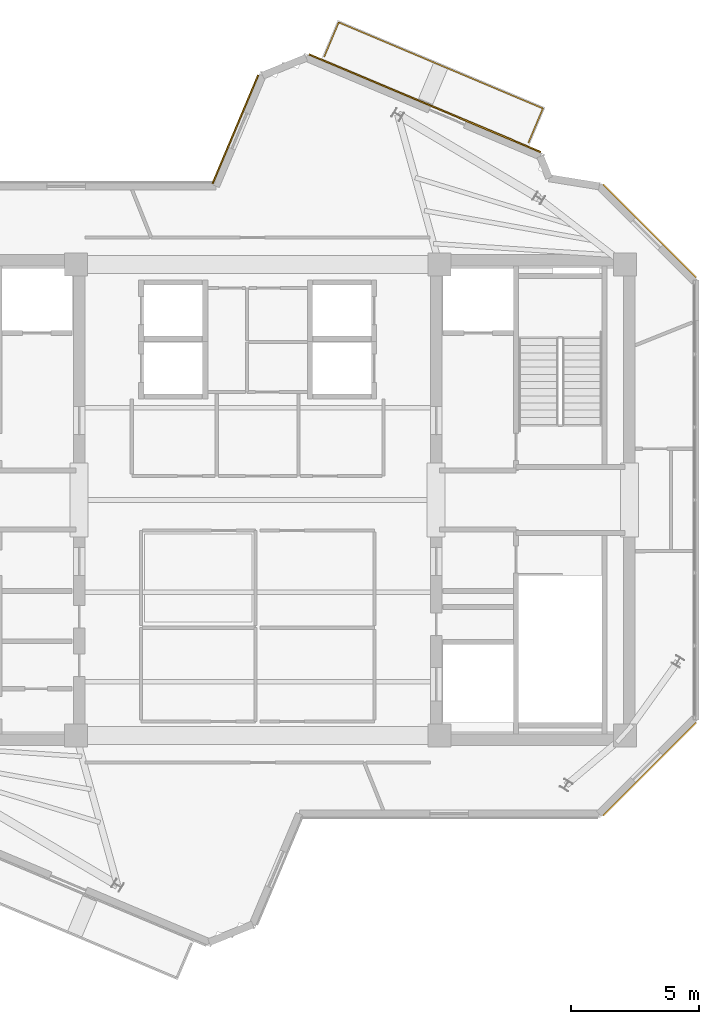
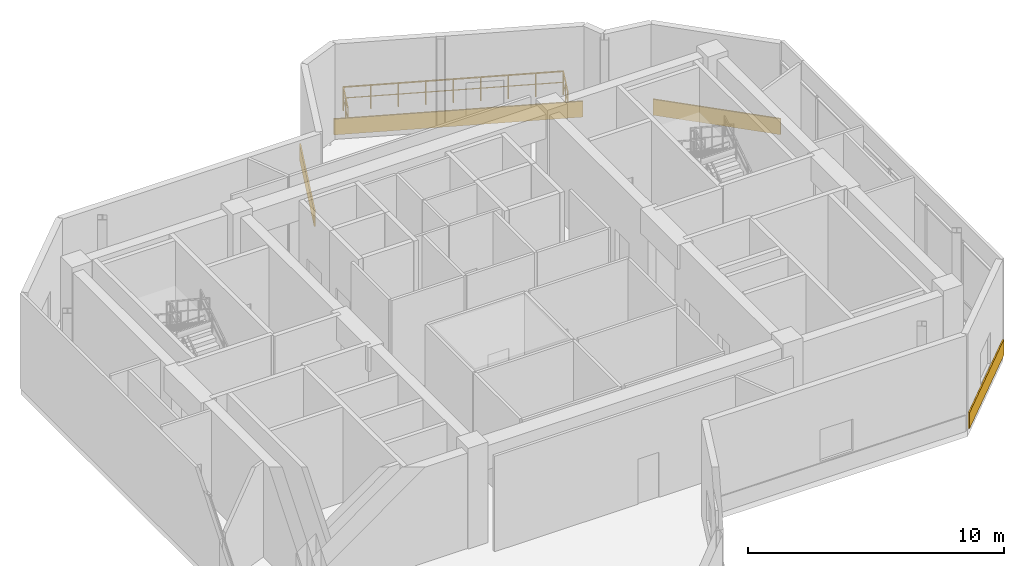
# One storey, part 11 of 11: 4 coverings, 3 railings.
"""IFC4 building model written with IfcOpenShell, lengths in metres."""

from ifc_helpers import new_model, si_unit, direction, frame, origin, origin_2d, place, context, subcontext, project, spatial, rectangle, extrude, source, transform, mapped, material, layer, layer_set, type_object, element, save


model = new_model("IFC4")

# Units and contexts
model_context = context("Model", 3, precision=1e-05, world=origin(), true_north=direction((0.0, 1.0)))
body_context = subcontext(model_context, "Body", "Model", "MODEL_VIEW")
ifc_project = project(units=[si_unit("LENGTHUNIT", "METRE"), si_unit("AREAUNIT", "SQUARE_METRE"), si_unit("VOLUMEUNIT", "CUBIC_METRE"), si_unit("PLANEANGLEUNIT", "RADIAN"), si_unit("MASSUNIT", "GRAM", prefix="KILO")], contexts=[model_context])

# Site, building, storey
site_placement = place(None, origin())
site = spatial("IfcSite", under=ifc_project, at=site_placement, CompositionType="ELEMENT")
building_placement = place(site_placement, origin())
building = spatial("IfcBuilding", under=site, at=building_placement, Name="Zahravan Cultural Tower", CompositionType="ELEMENT")
storey_placement = place(building_placement, frame((0.0, 0.0, 365.85009765625)))
storey = spatial("IfcBuildingStorey", under=building, at=storey_placement, Name="L89", CompositionType="ELEMENT", Elevation=365.85009765625)

# Railings
ifc_material_1 = material(Name="Steel ASTM A572 Grade 50", Category="steel")
railing_type = type_object("IfcRailingType", Name="RL-BAL-1150", PredefinedType="BALUSTRADE", material=ifc_material_1)
railing_1_placement = place(storey_placement, frame((39.16650390625, 45.6650390625, 0.0)))
element("IfcRailing", 1, at=railing_1_placement, inside=storey, type_object=railing_type, Name="L89 Edge Balustrade GRD-TR-L89-NE-01", PredefinedType="BALUSTRADE", context=body_context, shape_type="SweptSolid", body=[
    extrude(rectangle(XDim=0.05, YDim=0.05, at=origin_2d()), frame((0.0, 0.0, 1.125), z_axis=(0.921528145431, -0.388311572295, 0.0), x_axis=(0.388311572295, 0.921528145431, 0.0)), (0.0, 0.0, 1.0), 8.66015625),
    extrude(rectangle(XDim=0.032, YDim=0.032, at=origin_2d()), frame((0.0, 0.0, 0.597900390625), z_axis=(0.921528145431, -0.388311572295, 0.0), x_axis=(0.388311572295, 0.921528145431, 0.0)), (0.0, 0.0, 1.0), 8.66015625),
    extrude(rectangle(XDim=0.04, YDim=0.04, at=origin_2d()), origin(), (0.0, 0.0, 1.0), 1.14990234375),
    extrude(rectangle(XDim=0.04, YDim=0.04, at=origin_2d()), frame((0.99755859375, -0.42041015625, 0.0)), (0.0, 0.0, 1.0), 1.14990234375),
    extrude(rectangle(XDim=0.04, YDim=0.04, at=origin_2d()), frame((1.9951171875, -0.8408203125, 0.0)), (0.0, 0.0, 1.0), 1.14990234375),
    extrude(rectangle(XDim=0.04, YDim=0.04, at=origin_2d()), frame((2.99267578125, -1.260986328125, 0.0)), (0.0, 0.0, 1.0), 1.14990234375),
    extrude(rectangle(XDim=0.04, YDim=0.04, at=origin_2d()), frame((3.990234375, -1.681396484375, 0.0)), (0.0, 0.0, 1.0), 1.14990234375),
    extrude(rectangle(XDim=0.04, YDim=0.04, at=origin_2d()), frame((4.98779296875, -2.101806640625, 0.0)), (0.0, 0.0, 1.0), 1.14990234375),
    extrude(rectangle(XDim=0.04, YDim=0.04, at=origin_2d()), frame((5.9853515625, -2.52197265625, 0.0)), (0.0, 0.0, 1.0), 1.14990234375),
    extrude(rectangle(XDim=0.04, YDim=0.04, at=origin_2d()), frame((6.98291015625, -2.9423828125, 0.0)), (0.0, 0.0, 1.0), 1.14990234375),
    extrude(rectangle(XDim=0.04, YDim=0.04, at=origin_2d()), frame((7.98046875, -3.36279296875, 0.0)), (0.0, 0.0, 1.0), 1.14990234375),
])
railing_2_placement = place(storey_placement, frame((47.14697265625, 42.30224609375, 0.0)))
element("IfcRailing", 2, at=railing_2_placement, inside=storey, type_object=railing_type, Name="L89 Edge Balustrade GRD-TR-L89-NE-02", PredefinedType="BALUSTRADE", context=body_context, shape_type="SweptSolid", body=[
    extrude(rectangle(XDim=0.05, YDim=0.05, at=origin_2d()), frame((0.0, 0.0, 1.125), z_axis=(-0.388282814851, -0.921540262653, 0.0), x_axis=(0.921540262653, -0.388282814851, 0.0)), (0.0, 0.0, 1.0), 1.449951171875),
    extrude(rectangle(XDim=0.032, YDim=0.032, at=origin_2d()), frame((0.0, 0.0, 0.597900390625), z_axis=(-0.388282814851, -0.921540262653, 0.0), x_axis=(0.921540262653, -0.388282814851, 0.0)), (0.0, 0.0, 1.0), 1.449951171875),
    extrude(rectangle(XDim=0.04, YDim=0.04, at=origin_2d()), origin(), (0.0, 0.0, 1.0), 1.14990234375),
    extrude(rectangle(XDim=0.04, YDim=0.04, at=origin_2d()), frame((-0.281494140625, -0.66796875, 0.0)), (0.0, 0.0, 1.0), 1.14990234375),
    extrude(rectangle(XDim=0.04, YDim=0.04, at=origin_2d()), frame((-0.56298828125, -1.336181640625, 0.0)), (0.0, 0.0, 1.0), 1.14990234375),
])
railing_3_placement = place(storey_placement, frame((38.603515625, 44.328857421875, 0.0)))
element("IfcRailing", 3, at=railing_3_placement, inside=storey, type_object=railing_type, Name="L89 Edge Balustrade GRD-TR-L89-NE-03", PredefinedType="BALUSTRADE", context=body_context, shape_type="SweptSolid", body=[
    extrude(rectangle(XDim=0.05, YDim=0.05, at=origin_2d()), frame((0.0, 0.0, 1.125), z_axis=(0.388282814851, 0.921540262653, 0.0), x_axis=(-0.921540262653, 0.388282814851, 0.0)), (0.0, 0.0, 1.0), 1.449951171875),
    extrude(rectangle(XDim=0.032, YDim=0.032, at=origin_2d()), frame((0.0, 0.0, 0.597900390625), z_axis=(0.388282814851, 0.921540262653, 0.0), x_axis=(-0.921540262653, 0.388282814851, 0.0)), (0.0, 0.0, 1.0), 1.449951171875),
    extrude(rectangle(XDim=0.04, YDim=0.04, at=origin_2d()), origin(), (0.0, 0.0, 1.0), 1.14990234375),
    extrude(rectangle(XDim=0.04, YDim=0.04, at=origin_2d()), frame((0.281494140625, 0.66796875, 0.0)), (0.0, 0.0, 1.0), 1.14990234375),
    extrude(rectangle(XDim=0.04, YDim=0.04, at=origin_2d()), frame((0.56298828125, 1.336181640625, 0.0)), (0.0, 0.0, 1.0), 1.14990234375),
])

# Coverings
ifc_material_2 = material(Name="Terracotta ceramic cladding", Category="masonry")
ifc_layer = layer(ifc_material_2, 0.06005859375)
ifc_layer_set = layer_set([ifc_layer], Name="Terracotta ceramic cladding")
covering_type = type_object("IfcCoveringType", Name="COV-CLAD-TC60", PredefinedType="CLADDING", material=ifc_layer_set)
shared_shape_1 = source(origin(), body_context, "Body", "SweptSolid", [
    extrude(rectangle(XDim=9.820068359375, YDim=0.06005859375, at=origin_2d()), origin(), (0.0, 0.0, 1.0), 0.760009765625),
])
covering_1_placement = place(storey_placement, frame((42.533447265625, 42.504638671875, 0.02001953125), z_axis=(0.0, 0.0, 1.0), x_axis=(0.921531406788, -0.388303832459, 0.0)))
element("IfcCovering", 4, at=covering_1_placement, inside=storey, type_object=covering_type, Name="L89 Terracotta Spandrel Cladding 03", PredefinedType="CLADDING", context=body_context, shape_type="MappedRepresentation", body=[
    mapped(shared_shape_1, transform((0.0, 0.0, 0.0), x_axis=(1.0, 0.0, 0.0), y_axis=(0.0, 1.0, 0.0), z_axis=(0.0, 0.0, 1.0), scale=1.0)),
])
shared_shape_2 = source(origin(), body_context, "Body", "SweptSolid", [
    extrude(rectangle(XDim=5.157958984375, YDim=0.06005859375, at=origin_2d()), origin(), (0.0, 0.0, 1.0), 0.760009765625),
])
for number, where, z_axis, x_axis, name in (
    (5, (51.317626953125, 37.517578125, 0.02001953125), (0.0, 0.0, 1.0), (0.707106781187, -0.707106781187, 0.0), "L89 Terracotta Spandrel Cladding 06"),
    (6, (51.317626953125, 16.482421875, 0.02001953125), (0.0, 0.0, 1.0), (-0.707106781187, -0.707106781187, 0.0), "L89 Terracotta Spandrel Cladding 07"),
):
    element("IfcCovering", number, at=place(storey_placement, frame(where, z_axis=z_axis, x_axis=x_axis)), inside=storey, type_object=covering_type, Name=name, PredefinedType="CLADDING", context=body_context, shape_type="MappedRepresentation", body=[
        mapped(shared_shape_2, transform((0.0, 0.0, 0.0), x_axis=(1.0, 0.0, 0.0), y_axis=(0.0, 1.0, 0.0), z_axis=(0.0, 0.0, 1.0), scale=1.0)),
    ])
shared_shape_3 = source(origin(), body_context, "Body", "SweptSolid", [
    extrude(rectangle(XDim=4.59375, YDim=0.06005859375, at=origin_2d()), origin(), (0.0, 0.0, 1.0), 0.760009765625),
])
covering_2_placement = place(storey_placement, frame((35.13232421875, 41.48681640625, 0.02001953125), z_axis=(0.0, 0.0, 1.0), x_axis=(0.388319916157, 0.921524629468, 0.0)))
element("IfcCovering", 7, at=covering_2_placement, inside=storey, type_object=covering_type, Name="L89 Terracotta Spandrel Cladding 01", PredefinedType="CLADDING", context=body_context, shape_type="MappedRepresentation", body=[
    mapped(shared_shape_3, transform((0.0, 0.0, 0.0), x_axis=(1.0, 0.0, 0.0), y_axis=(0.0, 1.0, 0.0), z_axis=(0.0, 0.0, 1.0), scale=1.0)),
])

save(model, "model.ifc")
